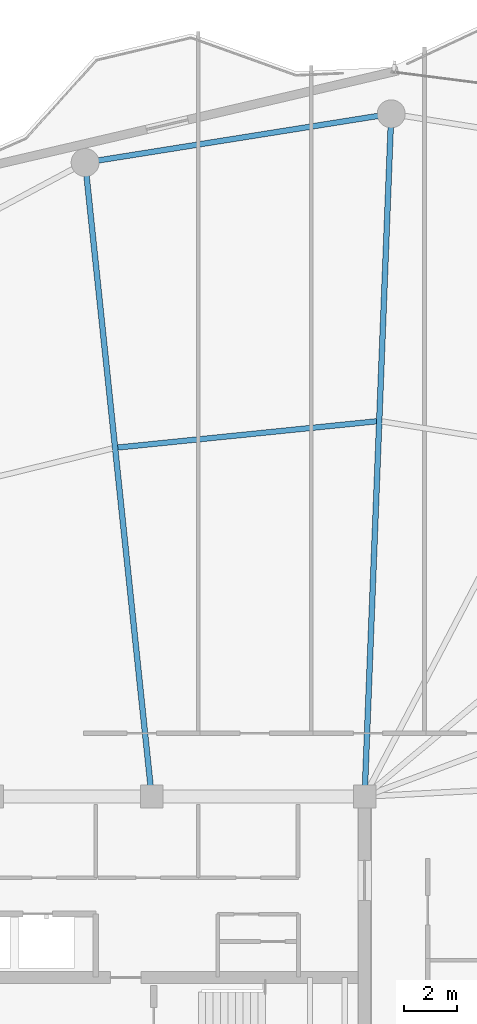
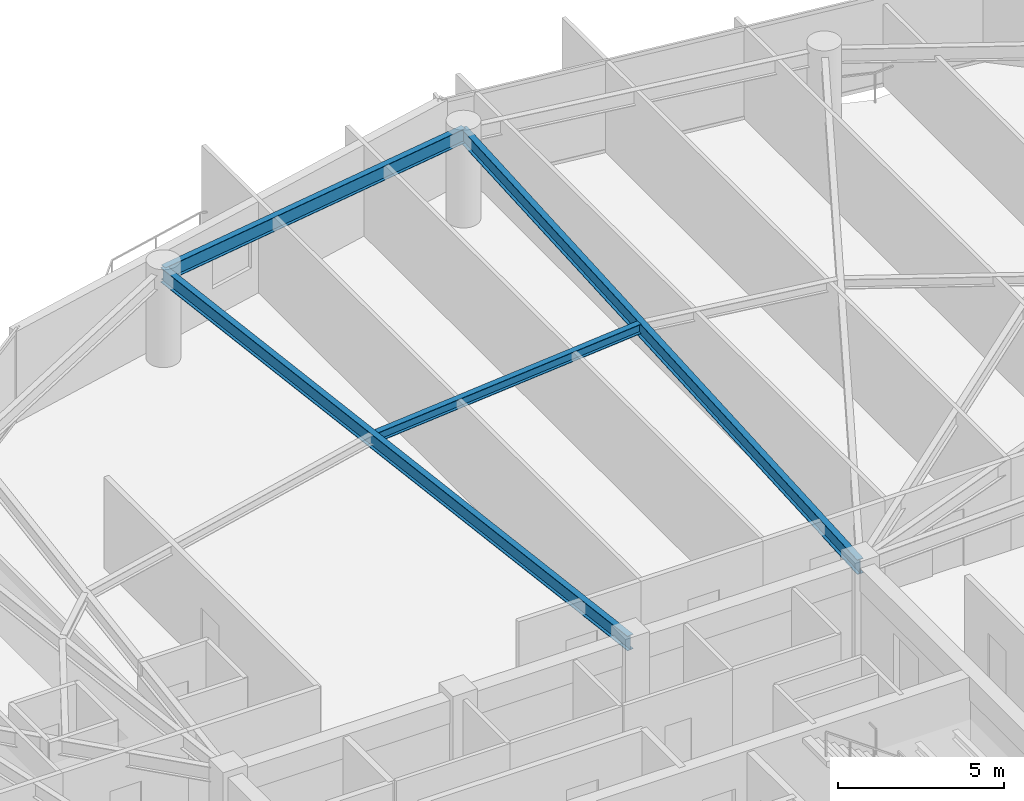
# One storey, part 19 of 31: 4 beams.
"""IFC4 building model written with IfcOpenShell, lengths in metres."""

from ifc_helpers import new_model, si_unit, direction, frame, origin, origin_2d, place, context, subcontext, project, spatial, i_section, extrude, material, material_profile, profile_set, type_object, element, save


model = new_model("IFC4")

# Units and contexts
model_context = context("Model", 3, precision=1e-05, world=origin(), true_north=direction((0.0, 1.0)))
body_context = subcontext(model_context, "Body", "Model", "MODEL_VIEW")
ifc_project = project(units=[si_unit("LENGTHUNIT", "METRE"), si_unit("AREAUNIT", "SQUARE_METRE"), si_unit("VOLUMEUNIT", "CUBIC_METRE"), si_unit("PLANEANGLEUNIT", "RADIAN"), si_unit("MASSUNIT", "GRAM", prefix="KILO")], contexts=[model_context])

# Site, building, storey
site_placement = place(None, origin())
site = spatial("IfcSite", under=ifc_project, at=site_placement, CompositionType="ELEMENT")
building_placement = place(site_placement, origin())
building = spatial("IfcBuilding", under=site, at=building_placement, Name="Kazevale Care Tower and Concert Hall", CompositionType="ELEMENT")
storey_placement = place(building_placement, frame((0.0, 0.0, 220.800048828125)))
storey = spatial("IfcBuildingStorey", under=building, at=storey_placement, Name="L58", CompositionType="ELEMENT", Elevation=220.800048828125)

# Beams
ifc_material = material(Name="Steel ASTM A572 Gr 50", Category="steel")
ifc_material_profile_1 = material_profile(ifc_material, i_section(OverallWidth=0.2119140625, OverallDepth=0.5439453125, WebThickness=0.01318359375, FlangeThickness=0.021240234375, at=origin_2d()), Name="W530x123")
ifc_profile_set_1 = profile_set([ifc_material_profile_1], Name="Steel ASTM A572 Gr 50")
beam_type_1 = type_object("IfcBeamType", Name="Radial Floor Girder W530x123", PredefinedType="BEAM", material=ifc_profile_set_1)
beam_1_placement = place(storey_placement, frame((44.0, 36.39990234375, 3.087890625), z_axis=(0.03895653799, 0.999240905962, 0.0), x_axis=(-0.999240905962, 0.03895653799, 0.0)))
element("IfcBeam", 1, at=beam_1_placement, inside=storey, type_object=beam_type_1, Name="beam:L58:rad:05", PredefinedType="BEAM", context=body_context, shape_type="SweptSolid", body=[
    extrude(i_section(OverallWidth=0.2119140625, OverallDepth=0.5439453125, WebThickness=0.01318359375, FlangeThickness=0.021240234375, at=origin_2d()), origin(), (0.0, 0.0, 1.0), 25.669677734375),
])
beam_2_placement = place(storey_placement, frame((36.0, 36.39990234375, 3.087890625), z_axis=(-0.104380207012, 0.994537466556, 0.0), x_axis=(-0.994537466556, -0.104380207012, 0.0)))
element("IfcBeam", 2, at=beam_2_placement, inside=storey, type_object=beam_type_1, Name="beam:L58:rad:06", PredefinedType="BEAM", context=body_context, shape_type="SweptSolid", body=[
    extrude(i_section(OverallWidth=0.2119140625, OverallDepth=0.5439453125, WebThickness=0.01318359375, FlangeThickness=0.021240234375, at=origin_2d()), origin(), (0.0, 0.0, 1.0), 23.950927734375),
])
ifc_material_profile_2 = material_profile(ifc_material, i_section(OverallWidth=0.205078125, OverallDepth=0.35400390625, WebThickness=0.009521484375, FlangeThickness=0.016845703125, at=origin_2d()), Name="W360x79")
ifc_profile_set_2 = profile_set([ifc_material_profile_2], Name="Steel ASTM A572 Gr 50")
beam_type_2 = type_object("IfcBeamType", Name="Secondary Floor Joist W360x79", PredefinedType="JOIST", material=ifc_profile_set_2)
beam_3_placement = place(storey_placement, frame((44.446044921875, 50.4970703125, 3.182861328125), z_axis=(-0.994900388447, -0.10086236696, 0.0), x_axis=(0.10086236696, -0.994900388447, 0.0)))
element("IfcBeam", 3, at=beam_3_placement, inside=storey, type_object=beam_type_2, Name="beam:L58:joist:05", PredefinedType="JOIST", context=body_context, shape_type="SweptSolid", body=[
    extrude(i_section(OverallWidth=0.205078125, OverallDepth=0.35400390625, WebThickness=0.009521484375, FlangeThickness=0.016845703125, at=origin_2d()), origin(), (0.0, 0.0, 1.0), 9.766845703125),
])
ifc_material_profile_3 = material_profile(ifc_material, i_section(OverallWidth=0.208984375, OverallDepth=0.532958984375, WebThickness=0.01025390625, FlangeThickness=0.015625, at=origin_2d()), Name="W530x92")
ifc_profile_set_3 = profile_set([ifc_material_profile_3], Name="Steel ASTM A572 Gr 50")
beam_type_3 = type_object("IfcBeamType", Name="Upper Ring Beam W530x92", PredefinedType="BEAM", material=ifc_profile_set_3)
beam_4_placement = place(storey_placement, frame((45.0, 62.050048828125, 3.093505859375), z_axis=(-0.987573207584, -0.15715966296, 0.0), x_axis=(0.15715966296, -0.987573207584, 0.0)))
element("IfcBeam", 4, at=beam_4_placement, inside=storey, type_object=beam_type_3, Name="beam:L58:ring:05", PredefinedType="BEAM", context=body_context, shape_type="SweptSolid", body=[
    extrude(i_section(OverallWidth=0.208984375, OverallDepth=0.532958984375, WebThickness=0.01025390625, FlangeThickness=0.015625, at=origin_2d()), origin(), (0.0, 0.0, 1.0), 11.644775390625),
])

save(model, "model.ifc")
